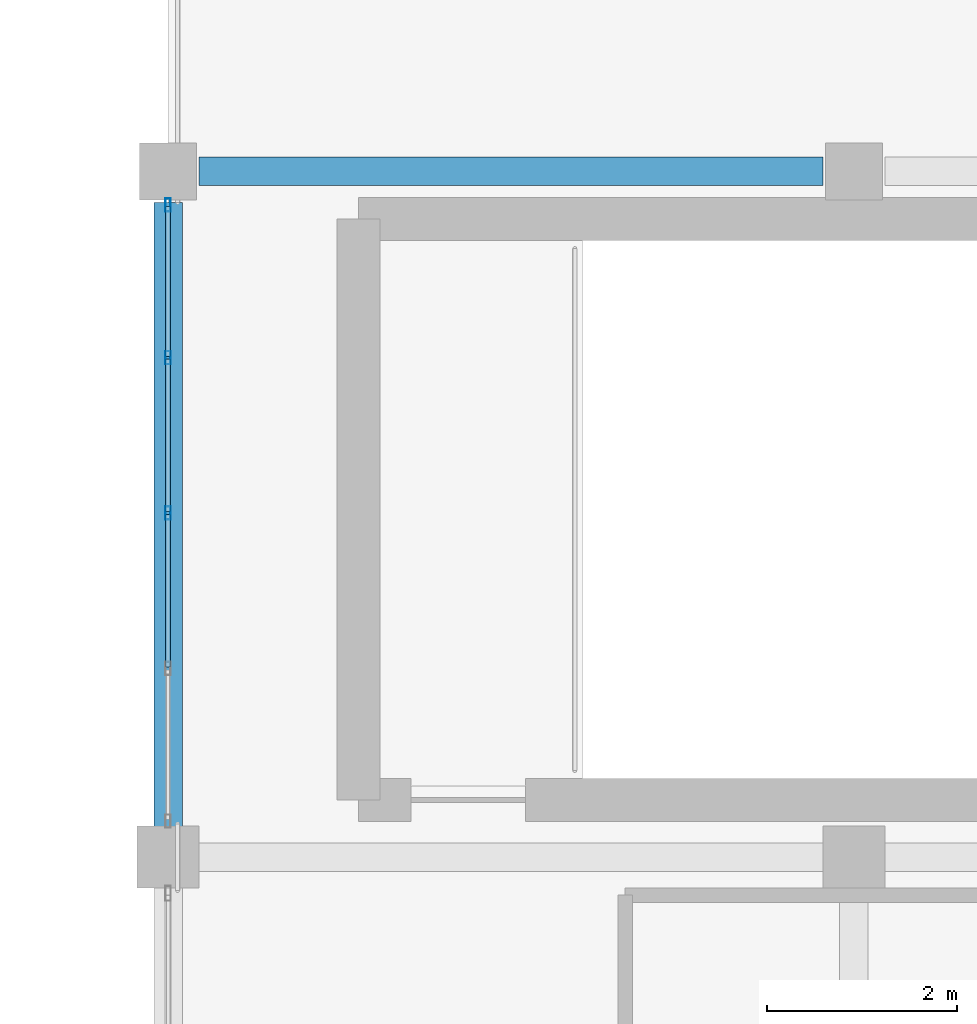
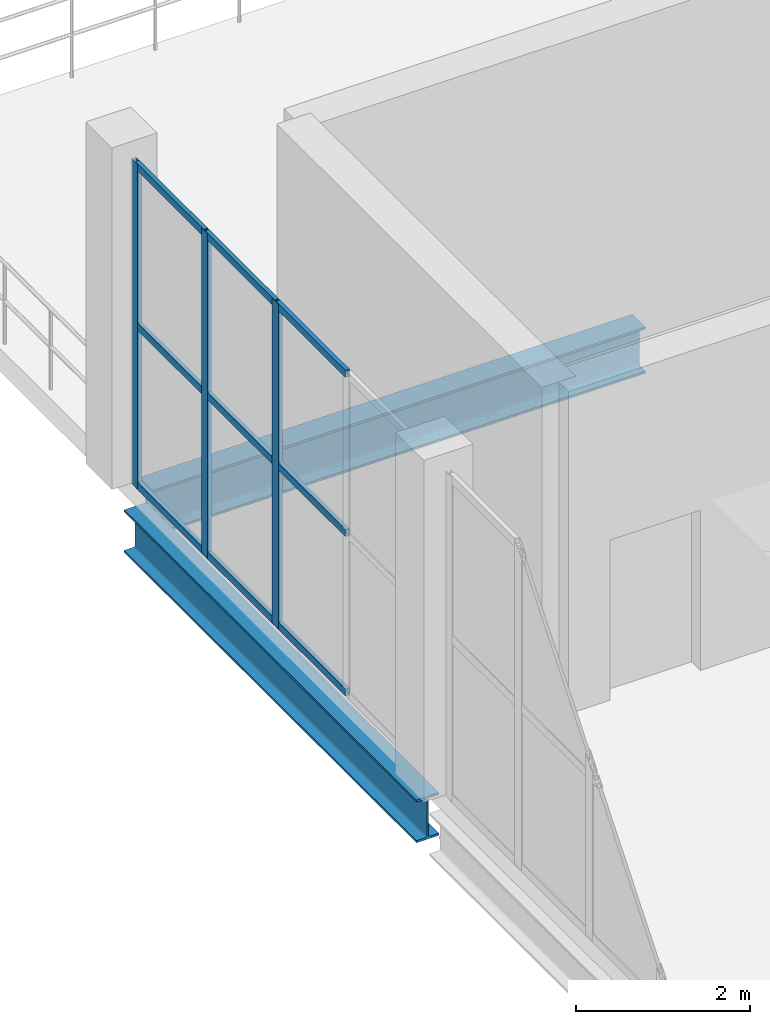
# One storey, part 62 of 105: 12 members, 2 beams, 1 element without a shape of its own.
"""IFC4 building model written with IfcOpenShell, lengths in metres."""

from ifc_helpers import new_model, si_unit, direction, frame, origin, origin_2d, place, context, subcontext, project, spatial, hollow_rectangle, i_section, extrude, material, material_profile, profile_set, type_object, element, aggregate, save


model = new_model("IFC4")

# Units and contexts
model_context = context("Model", 3, precision=1e-05, world=origin(), true_north=direction((0.0, 1.0)))
body_context = subcontext(model_context, "Body", "Model", "MODEL_VIEW")
ifc_project = project(units=[si_unit("LENGTHUNIT", "METRE"), si_unit("AREAUNIT", "SQUARE_METRE"), si_unit("VOLUMEUNIT", "CUBIC_METRE"), si_unit("PLANEANGLEUNIT", "RADIAN"), si_unit("MASSUNIT", "GRAM", prefix="KILO")], contexts=[model_context])

# Site, building, storey
site_placement = place(None, origin())
site = spatial("IfcSite", under=ifc_project, at=site_placement, CompositionType="ELEMENT")
building_placement = place(site_placement, origin())
building = spatial("IfcBuilding", under=site, at=building_placement, Name="Qandorah Velis Arena", CompositionType="ELEMENT")
storey_placement = place(building_placement, frame((0.0, 0.0, 13.800048828125)))
storey = spatial("IfcBuildingStorey", under=building, at=storey_placement, Name="L03", CompositionType="ELEMENT", Elevation=13.800048828125)

# Curtain wall, members
ifc_material_1 = material(Name="Solar-control low-E double glazing", Category="glass")
curtain_wall_type = type_object("IfcCurtainWallType", Name="ARC-CW-SYS12", PredefinedType="USERDEFINED", material=ifc_material_1)
curtain_wall_placement = place(storey_placement, origin())
curtain_wall = element("IfcCurtainWall", 1, at=curtain_wall_placement, inside=storey, type_object=curtain_wall_type, Name="Unitised curtain wall L03-132", ObjectType="UNITISED CURTAIN WALL", PredefinedType="USERDEFINED")
ifc_material_2 = material(Name="Champagne-bronze anodized aluminium 6063-T6", Category="aluminium")
ifc_material_profile_1 = material_profile(ifc_material_2, hollow_rectangle(XDim=0.054931640625, YDim=0.139892578125, WallThickness=0.0029296875, at=origin_2d()), Name="ALU MULLION 55x140")
ifc_profile_set_1 = profile_set([ifc_material_profile_1], Name="Champagne-bronze anodized aluminium 6063-T6")
member_type_1 = type_object("IfcMemberType", Name="ARC-CWM-140", PredefinedType="MULLION", material=ifc_profile_set_1)
member_1_placement = place(storey_placement, frame((151.199951171875, 82.8125, -0.01513671875), z_axis=(0.0, 0.0, 1.0), x_axis=(-1.0, 0.0, 0.0)))
member_1 = element("IfcMember", 2, at=member_1_placement, type_object=member_type_1, Name="CW12 mullion 3", PredefinedType="MULLION", context=body_context, shape_type="SweptSolid", body=[
    extrude(hollow_rectangle(XDim=0.054931640625, YDim=0.139892578125, WallThickness=0.0029296875, at=origin_2d()), origin(), (0.0, 0.0, 1.0), 4.56005859375),
])
member_2_placement = place(storey_placement, frame((151.199951171875, 84.44384765625, -0.01513671875), z_axis=(0.0, 0.0, 1.0), x_axis=(-1.0, 0.0, 0.0)))
member_2 = element("IfcMember", 3, at=member_2_placement, type_object=member_type_1, Name="CW12 mullion 4", PredefinedType="MULLION", context=body_context, shape_type="SweptSolid", body=[
    extrude(hollow_rectangle(XDim=0.054931640625, YDim=0.139892578125, WallThickness=0.0029296875, at=origin_2d()), origin(), (0.0, 0.0, 1.0), 4.56005859375),
])
member_3_placement = place(storey_placement, frame((151.199951171875, 86.047607421875, -0.01513671875), z_axis=(0.0, 0.0, 1.0), x_axis=(-1.0, 0.0, 0.0)))
member_3 = element("IfcMember", 4, at=member_3_placement, type_object=member_type_1, Name="CW12 mullion 5", PredefinedType="MULLION", context=body_context, shape_type="SweptSolid", body=[
    extrude(hollow_rectangle(XDim=0.054931640625, YDim=0.139892578125, WallThickness=0.0029296875, at=origin_2d()), origin(), (0.0, 0.0, 1.0), 4.56005859375),
])
ifc_material_profile_2 = material_profile(ifc_material_2, hollow_rectangle(XDim=0.054931640625, YDim=0.10009765625, WallThickness=0.0029296875, at=origin_2d()), Name="ALU TRANSOM 55x100")
ifc_profile_set_2 = profile_set([ifc_material_profile_2], Name="Champagne-bronze anodized aluminium 6063-T6")
member_type_2 = type_object("IfcMemberType", Name="ARC-CWT-100", PredefinedType="USERDEFINED", material=ifc_profile_set_2)
member_4_placement = place(storey_placement, frame((151.199951171875, 81.19677734375, 0.02734375), z_axis=(0.0, 1.0, 0.0), x_axis=(-1.0, 0.0, 0.0)))
member_4 = element("IfcMember", 5, at=member_4_placement, type_object=member_type_2, Name="CW12 transom 2.1", ObjectType="TRANSOM", PredefinedType="USERDEFINED", context=body_context, shape_type="SweptSolid", body=[
    extrude(hollow_rectangle(XDim=0.054931640625, YDim=0.10009765625, WallThickness=0.0029296875, at=origin_2d()), origin(), (0.0, 0.0, 1.0), 1.600341796875),
])
member_5_placement = place(storey_placement, frame((151.199951171875, 81.19677734375, 2.264892578125), z_axis=(0.0, 1.0, 0.0), x_axis=(-1.0, 0.0, 0.0)))
member_5 = element("IfcMember", 6, at=member_5_placement, type_object=member_type_2, Name="CW12 transom 2.2", ObjectType="TRANSOM", PredefinedType="USERDEFINED", context=body_context, shape_type="SweptSolid", body=[
    extrude(hollow_rectangle(XDim=0.054931640625, YDim=0.10009765625, WallThickness=0.0029296875, at=origin_2d()), origin(), (0.0, 0.0, 1.0), 1.600341796875),
])
member_6_placement = place(storey_placement, frame((151.199951171875, 81.19677734375, 4.50244140625), z_axis=(0.0, 1.0, 0.0), x_axis=(-1.0, 0.0, 0.0)))
member_6 = element("IfcMember", 7, at=member_6_placement, type_object=member_type_2, Name="CW12 transom 2.3", ObjectType="TRANSOM", PredefinedType="USERDEFINED", context=body_context, shape_type="SweptSolid", body=[
    extrude(hollow_rectangle(XDim=0.054931640625, YDim=0.10009765625, WallThickness=0.0029296875, at=origin_2d()), origin(), (0.0, 0.0, 1.0), 1.600341796875),
])
member_7_placement = place(storey_placement, frame((151.199951171875, 82.827880859375, 0.02734375), z_axis=(0.0, 1.0, 0.0), x_axis=(-1.0, 0.0, 0.0)))
member_7 = element("IfcMember", 8, at=member_7_placement, type_object=member_type_2, Name="CW12 transom 3.1", ObjectType="TRANSOM", PredefinedType="USERDEFINED", context=body_context, shape_type="SweptSolid", body=[
    extrude(hollow_rectangle(XDim=0.054931640625, YDim=0.10009765625, WallThickness=0.0029296875, at=origin_2d()), origin(), (0.0, 0.0, 1.0), 1.600341796875),
])
member_8_placement = place(storey_placement, frame((151.199951171875, 82.827880859375, 2.264892578125), z_axis=(0.0, 1.0, 0.0), x_axis=(-1.0, 0.0, 0.0)))
member_8 = element("IfcMember", 9, at=member_8_placement, type_object=member_type_2, Name="CW12 transom 3.2", ObjectType="TRANSOM", PredefinedType="USERDEFINED", context=body_context, shape_type="SweptSolid", body=[
    extrude(hollow_rectangle(XDim=0.054931640625, YDim=0.10009765625, WallThickness=0.0029296875, at=origin_2d()), origin(), (0.0, 0.0, 1.0), 1.600341796875),
])
member_9_placement = place(storey_placement, frame((151.199951171875, 82.827880859375, 4.50244140625), z_axis=(0.0, 1.0, 0.0), x_axis=(-1.0, 0.0, 0.0)))
member_9 = element("IfcMember", 10, at=member_9_placement, type_object=member_type_2, Name="CW12 transom 3.3", ObjectType="TRANSOM", PredefinedType="USERDEFINED", context=body_context, shape_type="SweptSolid", body=[
    extrude(hollow_rectangle(XDim=0.054931640625, YDim=0.10009765625, WallThickness=0.0029296875, at=origin_2d()), origin(), (0.0, 0.0, 1.0), 1.600341796875),
])
member_10_placement = place(storey_placement, frame((151.199951171875, 84.459228515625, 0.02734375), z_axis=(0.0, 1.0, 0.0), x_axis=(-1.0, 0.0, 0.0)))
member_10 = element("IfcMember", 11, at=member_10_placement, type_object=member_type_2, Name="CW12 transom 4.1", ObjectType="TRANSOM", PredefinedType="USERDEFINED", context=body_context, shape_type="SweptSolid", body=[
    extrude(hollow_rectangle(XDim=0.054931640625, YDim=0.10009765625, WallThickness=0.0029296875, at=origin_2d()), origin(), (0.0, 0.0, 1.0), 1.57275390625),
])
member_11_placement = place(storey_placement, frame((151.199951171875, 84.459228515625, 2.264892578125), z_axis=(0.0, 1.0, 0.0), x_axis=(-1.0, 0.0, 0.0)))
member_11 = element("IfcMember", 12, at=member_11_placement, type_object=member_type_2, Name="CW12 transom 4.2", ObjectType="TRANSOM", PredefinedType="USERDEFINED", context=body_context, shape_type="SweptSolid", body=[
    extrude(hollow_rectangle(XDim=0.054931640625, YDim=0.10009765625, WallThickness=0.0029296875, at=origin_2d()), origin(), (0.0, 0.0, 1.0), 1.57275390625),
])
member_12_placement = place(storey_placement, frame((151.199951171875, 84.459228515625, 4.50244140625), z_axis=(0.0, 1.0, 0.0), x_axis=(-1.0, 0.0, 0.0)))
member_12 = element("IfcMember", 13, at=member_12_placement, type_object=member_type_2, Name="CW12 transom 4.3", ObjectType="TRANSOM", PredefinedType="USERDEFINED", context=body_context, shape_type="SweptSolid", body=[
    extrude(hollow_rectangle(XDim=0.054931640625, YDim=0.10009765625, WallThickness=0.0029296875, at=origin_2d()), origin(), (0.0, 0.0, 1.0), 1.57275390625),
])
aggregate(curtain_wall, [member_1, member_2, member_3, member_4, member_5, member_6, member_7, member_8, member_9, member_10, member_11, member_12])

# Beams
ifc_material_3 = material(Name="Steel S355", Category="steel")
ifc_material_profile_3 = material_profile(ifc_material_3, i_section(OverallWidth=0.300048828125, OverallDepth=0.60009765625, WebThickness=0.015380859375, FlangeThickness=0.030029296875, FilletRadius=0.027099609375, at=origin_2d()), Name="HEB 600")
ifc_profile_set_3 = profile_set([ifc_material_profile_3], Name="Steel S355")
beam_type_1 = type_object("IfcBeamType", Name="STR-BM-HEB600", PredefinedType="BEAM", material=ifc_profile_set_3)
beam_1_placement = place(storey_placement, frame((151.199951171875, 79.35009765625, -0.6201171875), z_axis=(0.0, 1.0, 0.0), x_axis=(-1.0, 0.0, 0.0)))
element("IfcBeam", 14, at=beam_1_placement, inside=storey, type_object=beam_type_1, Name="Primary floor girder L03 Y-331", PredefinedType="BEAM", context=body_context, shape_type="SweptSolid", body=[
    extrude(i_section(OverallWidth=0.300048828125, OverallDepth=0.60009765625, WebThickness=0.015380859375, FlangeThickness=0.030029296875, FilletRadius=0.027099609375, at=origin_2d()), origin(), (0.0, 0.0, 1.0), 6.724853515625),
])
ifc_material_profile_4 = material_profile(ifc_material_3, i_section(OverallWidth=0.300048828125, OverallDepth=0.64990234375, WebThickness=0.01611328125, FlangeThickness=0.031005859375, FilletRadius=0.027099609375, at=origin_2d()), Name="HEB 650")
ifc_profile_set_4 = profile_set([ifc_material_profile_4], Name="Steel S355")
beam_type_2 = type_object("IfcBeamType", Name="STR-BM-HEB650", PredefinedType="BEAM", material=ifc_profile_set_4)
beam_2_placement = place(storey_placement, frame((151.52490234375, 86.39990234375, -0.64501953125), z_axis=(1.0, 0.0, 0.0), x_axis=(0.0, 1.0, 0.0)))
element("IfcBeam", 15, at=beam_2_placement, inside=storey, type_object=beam_type_2, Name="Primary floor girder L03 X-109", PredefinedType="BEAM", context=body_context, shape_type="SweptSolid", body=[
    extrude(i_section(OverallWidth=0.300048828125, OverallDepth=0.64990234375, WebThickness=0.01611328125, FlangeThickness=0.031005859375, FilletRadius=0.027099609375, at=origin_2d()), origin(), (0.0, 0.0, 1.0), 6.550048828125),
])

save(model, "model.ifc")
